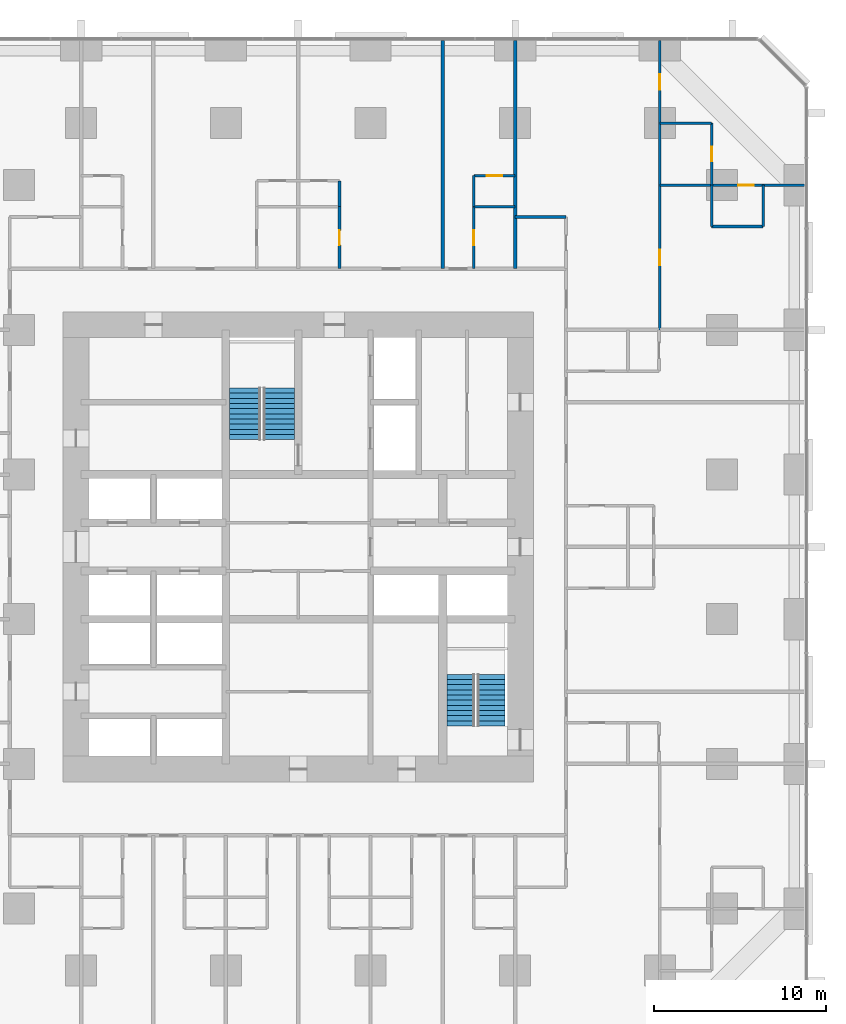
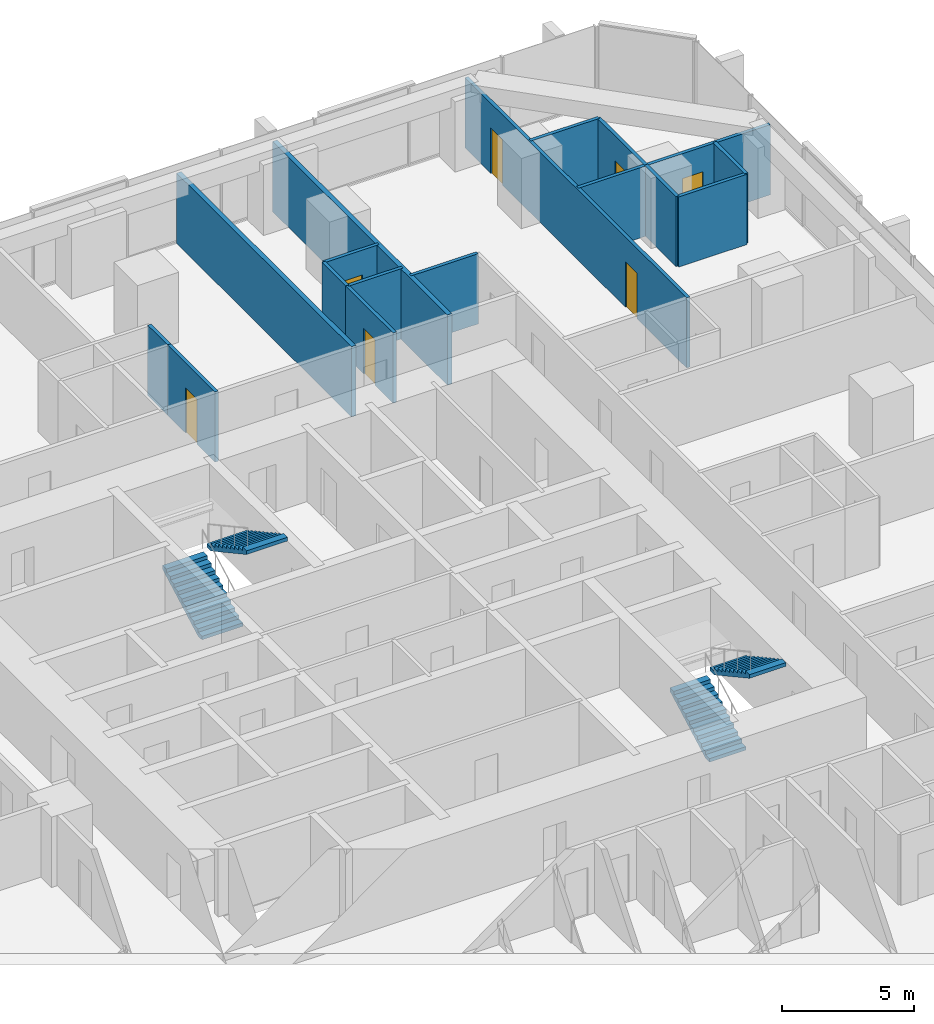
# One storey, part 16 of 17: 16 walls, 7 doors, 4 stair flights, 7 openings, 2 elements without a shape of their own.
"""IFC4 building model written with IfcOpenShell, lengths in metres."""

import ifcopenshell
import ifcopenshell.guid

model = None  # the IFC model being written
_history = None  # IfcOwnerHistory: only IFC2X3 demands one
_inside = {}  # id of a spatial element -> (the spatial element, [elements in it])
_under = {}  # id of a project, library or spatial element -> (it, [spatial elements below it])
_declared = {}  # id of a project -> (the project, [libraries it declares])
_typed = {}  # id of a type object -> (the type object, [elements of that type])
_made_of = {}  # id of a material, layer set ... -> (it, [elements and type objects made of it])


def new_model(schema):
    """Start an empty IFC model of exactly this schema.

    Asked for "IFC4X3", IfcOpenShell would pick the latest addendum, in which some entities
    have other attributes; the version numbers below select the first issue.
    IFC2X3 requires an IfcOwnerHistory on every rooted entity: one is made here for all.
    """
    global model, _history
    if schema == "IFC4X3":
        model = ifcopenshell.file(schema_version=(4, 3, 0, 0))
    else:
        model = ifcopenshell.file(schema=schema)
    _inside.clear()
    _under.clear()
    _declared.clear()
    _typed.clear()
    _made_of.clear()
    _history = None
    if model.schema == "IFC2X3":
        org = make("IfcOrganization", Name="unknown")
        user = make(
            "IfcPersonAndOrganization",
            ThePerson=make("IfcPerson", FamilyName="unknown"),
            TheOrganization=org,
        )
        app = make(
            "IfcApplication",
            ApplicationDeveloper=org,
            Version="unknown",
            ApplicationFullName="unknown",
            ApplicationIdentifier="unknown",
        )
        _history = make(
            "IfcOwnerHistory",
            OwningUser=user,
            OwningApplication=app,
            ChangeAction="ADDED",
            CreationDate=0,
        )
    return model


def make(cls, **values):
    """One entity of the class cls with the attributes given. An attribute that is None is left unset."""
    return model.create_entity(
        cls, **{name: value for name, value in values.items() if value is not None}
    )


def rooted(cls, **values):
    """An entity with a GlobalId (a new one), such as an element, a storey or a relation."""
    return make(cls, GlobalId=ifcopenshell.guid.new(), OwnerHistory=_history, **values)


def si_unit(unit_type, name, prefix=None):
    """IfcSIUnit, for example si_unit("LENGTHUNIT", "METRE", prefix="MILLI")."""
    return make("IfcSIUnit", UnitType=unit_type, Prefix=prefix, Name=name)


def assignment(units):
    """IfcUnitAssignment: the units of a project."""
    return None if units is None else make("IfcUnitAssignment", Units=units)


def point(xyz):
    """IfcCartesianPoint."""
    return None if xyz is None else make("IfcCartesianPoint", Coordinates=xyz)


def direction(xyz):
    """IfcDirection."""
    return None if xyz is None else make("IfcDirection", DirectionRatios=xyz)


def frame(location, z_axis=None, x_axis=None):
    """IfcAxis2Placement3D, a coordinate frame: its origin and axes. An axis left out is left unset."""
    return make(
        "IfcAxis2Placement3D",
        Location=point(location),
        Axis=direction(z_axis),
        RefDirection=direction(x_axis),
    )


def frame_2d(location, x_axis=None):
    """IfcAxis2Placement2D, a coordinate frame in the plane: its origin and x axis."""
    return make(
        "IfcAxis2Placement2D", Location=point(location), RefDirection=direction(x_axis)
    )


def origin():
    """The frame at (0, 0, 0) with its axes left unset."""
    return frame((0.0, 0.0, 0.0))


def place(relative_to, where):
    """IfcLocalPlacement: puts the frame where relative to a parent placement (None: the world)."""
    return make(
        "IfcLocalPlacement", PlacementRelTo=relative_to, RelativePlacement=where
    )


def context(
    kind, dimensions, precision=None, world=None, true_north=None, identifier=None
):
    """IfcGeometricRepresentationContext, for example the 3D "Model" context."""
    return make(
        "IfcGeometricRepresentationContext",
        ContextIdentifier=identifier,
        ContextType=kind,
        CoordinateSpaceDimension=dimensions,
        Precision=precision,
        WorldCoordinateSystem=world,
        TrueNorth=true_north,
    )


def subcontext(parent, identifier, kind, view, scale=None):
    """IfcGeometricRepresentationSubContext, for example "Body" below "Model"."""
    return make(
        "IfcGeometricRepresentationSubContext",
        ContextIdentifier=identifier,
        ContextType=kind,
        ParentContext=parent,
        TargetScale=scale,
        TargetView=view,
    )


def project(units=None, contexts=None):
    """IfcProject with its units and contexts."""
    return rooted(
        "IfcProject",
        Name="project",
        RepresentationContexts=contexts,
        UnitsInContext=assignment(units),
    )


def spatial(cls, under=None, at=None, **own):
    """A site, building, storey or space (cls), placed at a placement, below another one or the project."""
    s = rooted(cls, ObjectPlacement=at, **own)
    if under is not None:
        _under.setdefault(under.id(), (under, []))[1].append(s)
    return s


def polyline(points):
    """IfcPolyline through the points."""
    return make("IfcPolyline", Points=[point(p) for p in points])


def profile(cls, at=None, kind="AREA", **sizes):
    """A parametric profile (cls). Its sizes go by their IFC names, for example OverallWidth=200.0."""
    return make(cls, ProfileType=kind, Position=at, **sizes)


def rectangle(**sizes):
    """IfcRectangleProfileDef."""
    return profile("IfcRectangleProfileDef", **sizes)


def outline(outer, holes=None, kind="AREA"):
    """IfcArbitraryClosedProfileDef: a profile drawn as a closed curve; with holes, ...WithVoids."""
    if holes is None:
        return make("IfcArbitraryClosedProfileDef", ProfileType=kind, OuterCurve=outer)
    return make(
        "IfcArbitraryProfileDefWithVoids",
        ProfileType=kind,
        OuterCurve=outer,
        InnerCurves=holes,
    )


def extrude(swept, where, along, depth):
    """IfcExtrudedAreaSolid: the profile swept, set in the frame where, extruded along a direction by depth."""
    return make(
        "IfcExtrudedAreaSolid",
        SweptArea=swept,
        Position=where,
        ExtrudedDirection=direction(along),
        Depth=depth,
    )


def shape(context_of_items, identifier, shape_type, items):
    """IfcShapeRepresentation: the items that make up one representation, for example the "Body"."""
    return make(
        "IfcShapeRepresentation",
        ContextOfItems=context_of_items,
        RepresentationIdentifier=identifier,
        RepresentationType=shape_type,
        Items=items,
    )


def material(Name=None, Category=None):
    """IfcMaterial."""
    return make("IfcMaterial", Name=Name, Category=Category)


def layer(
    of_material, thickness, ventilated=None, Name=None, Category=None, Priority=None
):
    """IfcMaterialLayer: one layer of a wall or slab, of a material (None: an air gap)."""
    return make(
        "IfcMaterialLayer",
        Material=of_material,
        LayerThickness=thickness,
        IsVentilated=ventilated,
        Name=Name,
        Category=Category,
        Priority=Priority,
    )


def layer_set(layers, Name=None):
    """IfcMaterialLayerSet."""
    return make("IfcMaterialLayerSet", MaterialLayers=layers, LayerSetName=Name)


def made_of(thing, what):
    """Note that an element or type object is made of a material, layer set ...; save() writes the relation."""
    if what is not None:
        _made_of.setdefault(what.id(), (what, []))[1].append(thing)
    return thing


def type_object(cls, material=None, **own):
    """A type object (cls), such as IfcWallType, which elements share."""
    return made_of(rooted(cls, **own), material)


def element(
    cls,
    number,
    at=None,
    inside=None,
    cuts=None,
    type_object=None,
    material=None,
    context=None,
    identifier="Body",
    shape_type=None,
    held_by="IfcProductDefinitionShape",
    body=None,
    shapes=None,
    **own,
):
    """One element of the class cls, such as IfcWall. Its Tag is "e" and its number.

    at: its placement. inside: the storey or other place that contains it. cuts: it is an
    opening in that element (IfcRelVoidsElement). A single representation is given by context,
    identifier, shape_type and body (its items); several are given by shapes. held_by: the class
    of the entity that holds the representations. save() writes the other relations.
    """
    e = rooted(cls, Tag="e%d" % number, ObjectPlacement=at, **own)
    if body is not None:
        shapes = [shape(context, identifier, shape_type, body)]
    if shapes is not None:
        e.Representation = make(held_by, Representations=shapes)
    if inside is not None:
        _inside.setdefault(inside.id(), (inside, []))[1].append(e)
    if cuts is not None:
        rooted(
            "IfcRelVoidsElement", RelatingBuildingElement=cuts, RelatedOpeningElement=e
        )
    if type_object is not None:
        _typed.setdefault(type_object.id(), (type_object, []))[1].append(e)
    return made_of(e, material)


def fill(opening, filler):
    """IfcRelFillsElement: the door or window that sits in an opening."""
    return rooted(
        "IfcRelFillsElement",
        RelatingOpeningElement=opening,
        RelatedBuildingElement=filler,
    )


def aggregate(whole, parts):
    """IfcRelAggregates: a whole, such as a stair, and the parts it consists of."""
    return rooted("IfcRelAggregates", RelatingObject=whole, RelatedObjects=parts)


def save(model, path):
    """Write the relations noted so far, then the file.

    IfcRelAggregates (storeys below a building ...), IfcRelContainedInSpatialStructure (elements
    in a storey), IfcRelDefinesByType, IfcRelAssociatesMaterial and IfcRelDeclares: one each for
    every whole, place, type object, material and project.
    """
    for whole, parts in _under.values():
        aggregate(whole, parts)
    for where, things in _inside.values():
        rooted(
            "IfcRelContainedInSpatialStructure",
            RelatedElements=things,
            RelatingStructure=where,
        )
    for kind, things in _typed.values():
        rooted("IfcRelDefinesByType", RelatedObjects=things, RelatingType=kind)
    for what, things in _made_of.values():
        rooted("IfcRelAssociatesMaterial", RelatedObjects=things, RelatingMaterial=what)
    for by, libraries in _declared.values():
        rooted("IfcRelDeclares", RelatingContext=by, RelatedDefinitions=libraries)
    model.write(path)


model = new_model("IFC4")

# Units and contexts
model_context = context("Model", 3, precision=1e-05, world=origin(), true_north=direction((0.0, 1.0)))
body_context = subcontext(model_context, "Body", "Model", "MODEL_VIEW")
ifc_project = project(units=[si_unit("LENGTHUNIT", "METRE"), si_unit("AREAUNIT", "SQUARE_METRE"), si_unit("VOLUMEUNIT", "CUBIC_METRE"), si_unit("PLANEANGLEUNIT", "RADIAN"), si_unit("MASSUNIT", "GRAM", prefix="KILO")], contexts=[model_context])

# Site, building, storey
site_placement = place(None, origin())
site = spatial("IfcSite", under=ifc_project, at=site_placement, CompositionType="ELEMENT")
building_placement = place(site_placement, origin())
building = spatial("IfcBuilding", under=site, at=building_placement, Name="Dunama Terrace Hotel", CompositionType="ELEMENT")
storey_placement = place(building_placement, frame((0.0, 0.0, 77.39990234375)))
storey = spatial("IfcBuildingStorey", under=building, at=storey_placement, Name="L19", CompositionType="ELEMENT", Elevation=77.39990234375)

# Wall, opening, door
ifc_material_1 = material(Name="Gypsum board partition", Category="masonry")
ifc_layer_1 = layer(ifc_material_1, 0.14990234375)
ifc_layer_set_1 = layer_set([ifc_layer_1], Name="Bathroom partition 150")
wall_type_1 = type_object("IfcWallType", Name="Bathroom partition 150", PredefinedType="PARTITIONING", material=ifc_layer_set_1)
wall_1_placement = place(storey_placement, frame((31.800048828125, 45.550048828125, 0.0), z_axis=(0.0, 0.0, 1.0), x_axis=(0.0, 1.0, 0.0)))
wall_1 = element("IfcWall", 1, at=wall_1_placement, inside=storey, type_object=wall_type_1, Name="Bathroom partition 150 L19", PredefinedType="PARTITIONING", context=body_context, shape_type="SweptSolid", body=[
    extrude(rectangle(XDim=3.599853515625, YDim=0.14990234375, at=frame_2d((1.7998046875, 0.0))), origin(), (0.0, 0.0, 1.0), 3.25),
])
opening_1_placement = place(wall_1_placement, frame((1.375, 0.0, 0.0)))
opening_1 = element("IfcOpeningElement", 2, at=opening_1_placement, cuts=wall_1, Name="Opening L17-19-046", PredefinedType="OPENING", context=body_context, shape_type="SweptSolid", body=[
    extrude(rectangle(XDim=0.85009765625, YDim=2.10009765625, at=frame_2d((0.425048828125, 1.050048828125))), frame((0.0, 0.0849609375, 0.0), z_axis=(0.0, -1.0, 0.0), x_axis=(1.0, 0.0, 0.0)), (0.0, 0.0, 1.0), 0.169921875),
])
ifc_material_2 = material(Name="Timber door with steel frame", Category="steel")
door_type_1 = type_object("IfcDoorType", Name="Bathroom door 850", OperationType="SINGLE_SWING_LEFT", PredefinedType="DOOR", material=ifc_material_2)
door_1_placement = place(opening_1_placement, origin())
door_1 = element("IfcDoor", 3, at=door_1_placement, inside=storey, type_object=door_type_1, Name="Door to en-suite bathroom L17-19-046, type D2", OperationType="SINGLE_SWING_LEFT", OverallHeight=2.10009765625, OverallWidth=0.85009765625, PredefinedType="DOOR", context=body_context, shape_type="SweptSolid", body=[
    extrude(rectangle(XDim=0.85009765625, YDim=2.10009765625, at=frame_2d((0.425048828125, 1.050048828125))), frame((0.0, 0.02490234375, 0.0), z_axis=(0.0, -1.0, 0.0), x_axis=(1.0, 0.0, 0.0)), (0.0, 0.0, 1.0), 0.050048828125),
])
fill(opening_1, door_1)

wall_2_placement = place(storey_placement, frame((39.60009765625, 45.550048828125, 0.0), z_axis=(0.0, 0.0, 1.0), x_axis=(0.0, 1.0, 0.0)))
wall_2 = element("IfcWall", 4, at=wall_2_placement, inside=storey, type_object=wall_type_1, Name="Bathroom partition 150 L19", PredefinedType="PARTITIONING", context=body_context, shape_type="SweptSolid", body=[
    extrude(rectangle(XDim=3.599853515625, YDim=0.14990234375, at=frame_2d((1.7998046875, 0.0))), origin(), (0.0, 0.0, 1.0), 3.25),
])
opening_2_placement = place(wall_2_placement, frame((1.375, 0.0, 0.0)))
opening_2 = element("IfcOpeningElement", 5, at=opening_2_placement, cuts=wall_2, Name="Opening L17-19-049", PredefinedType="OPENING", context=body_context, shape_type="SweptSolid", body=[
    extrude(rectangle(XDim=0.85009765625, YDim=2.10009765625, at=frame_2d((0.425048828125, 1.050048828125))), frame((0.0, 0.0849609375, 0.0), z_axis=(0.0, -1.0, 0.0), x_axis=(1.0, 0.0, 0.0)), (0.0, 0.0, 1.0), 0.169921875),
])
door_2_placement = place(opening_2_placement, frame((0.85009765625, 0.0, 0.0), z_axis=(0.0, 0.0, 1.0), x_axis=(-1.0, 0.0, 0.0)))
door_2 = element("IfcDoor", 6, at=door_2_placement, inside=storey, type_object=door_type_1, Name="Door to en-suite bathroom L17-19-049, type D2", OperationType="SINGLE_SWING_RIGHT", OverallHeight=2.10009765625, OverallWidth=0.85009765625, PredefinedType="DOOR", context=body_context, shape_type="SweptSolid", body=[
    extrude(rectangle(XDim=0.85009765625, YDim=2.10009765625, at=frame_2d((0.425048828125, 1.050048828125))), frame((0.0, 0.025146484375, 0.0), z_axis=(0.0, -1.0, 0.0), x_axis=(1.0, 0.0, 0.0)), (0.0, 0.0, 1.0), 0.050048828125),
])
fill(opening_2, door_2)

wall_3_placement = place(storey_placement, frame((53.39990234375, 50.39990234375, 0.0), z_axis=(0.0, 0.0, 1.0), x_axis=(0.0, 1.0, 0.0)))
wall_3 = element("IfcWall", 7, at=wall_3_placement, inside=storey, type_object=wall_type_1, Name="Bathroom partition 150 L19", PredefinedType="PARTITIONING", context=body_context, shape_type="SweptSolid", body=[
    extrude(rectangle(XDim=3.60009765625, YDim=0.14990234375, at=frame_2d((1.800048828125, 0.0))), origin(), (0.0, 0.0, 1.0), 3.25),
])
opening_3_placement = place(wall_3_placement, frame((1.375, 0.0, 0.0)))
opening_3 = element("IfcOpeningElement", 8, at=opening_3_placement, cuts=wall_3, Name="Opening L17-19-075", PredefinedType="OPENING", context=body_context, shape_type="SweptSolid", body=[
    extrude(rectangle(XDim=0.85009765625, YDim=2.10009765625, at=frame_2d((0.425048828125, 1.050048828125))), frame((0.0, 0.0849609375, 0.0), z_axis=(0.0, -1.0, 0.0), x_axis=(1.0, 0.0, 0.0)), (0.0, 0.0, 1.0), 0.169921875),
])
door_3_placement = place(opening_3_placement, origin())
door_3 = element("IfcDoor", 9, at=door_3_placement, inside=storey, type_object=door_type_1, Name="Door to en-suite bathroom L17-19-075, type D2", OperationType="SINGLE_SWING_LEFT", OverallHeight=2.10009765625, OverallWidth=0.85009765625, PredefinedType="DOOR", context=body_context, shape_type="SweptSolid", body=[
    extrude(rectangle(XDim=0.85009765625, YDim=2.10009765625, at=frame_2d((0.425048828125, 1.050048828125))), frame((0.0, 0.02490234375, 0.0), z_axis=(0.0, -1.0, 0.0), x_axis=(1.0, 0.0, 0.0)), (0.0, 0.0, 1.0), 0.050048828125),
])
fill(opening_3, door_3)

# Walls
wall_4_placement = place(storey_placement, frame((42.0, 48.550048828125, 0.0), z_axis=(0.0, 0.0, 1.0), x_axis=(1.0, 0.0, 0.0)))
element("IfcWall", 10, at=wall_4_placement, inside=storey, type_object=wall_type_1, Name="Bathroom partition 150 L19", PredefinedType="PARTITIONING", context=body_context, shape_type="SweptSolid", body=[
    extrude(rectangle(XDim=2.949951171875, YDim=0.14990234375, at=frame_2d((1.47509765625, 0.0))), origin(), (0.0, 0.0, 1.0), 3.25),
])
wall_5_placement = place(storey_placement, frame((50.39990234375, 54.0, 0.0), z_axis=(0.0, 0.0, 1.0), x_axis=(1.0, 0.0, 0.0)))
element("IfcWall", 11, at=wall_5_placement, inside=storey, type_object=wall_type_1, Name="Bathroom partition 150 L19", PredefinedType="PARTITIONING", context=body_context, shape_type="SweptSolid", body=[
    extrude(rectangle(XDim=3.0, YDim=0.14990234375, at=frame_2d((1.5, 0.0))), origin(), (0.0, 0.0, 1.0), 3.25),
])
ifc_material_3 = material(Name="Concrete blockwork", Category="masonry")
ifc_layer_2 = layer(ifc_material_3, 0.199951171875)
ifc_layer_set_2 = layer_set([ifc_layer_2], Name="Party wall 200")
wall_type_2 = type_object("IfcWallType", Name="Party wall 200", PredefinedType="PARTITIONING", material=ifc_layer_set_2)
for number, where, z_axis, x_axis, name in (
    (12, (37.800048828125, 45.550048828125, 0.0), (0.0, 0.0, 1.0), (0.0, 1.0, 0.0), "Party wall 200 L19"),
    (13, (42.0, 45.550048828125, 0.0), (0.0, 0.0, 1.0), (0.0, 1.0, 0.0), "Party wall 200 L19"),
):
    element("IfcWall", number, at=place(storey_placement, frame(where, z_axis=z_axis, x_axis=x_axis)), inside=storey, type_object=wall_type_2, Name=name, PredefinedType="PARTITIONING", context=body_context, shape_type="SweptSolid", body=[
        extrude(rectangle(XDim=13.258056640625, YDim=0.199951171875, at=frame_2d((6.62890625, 0.0))), origin(), (0.0, 0.0, 1.0), 3.25),
    ])
ifc_material_4 = material(Name="Gypsum board partition", Category="masonry")
ifc_layer_3 = layer(ifc_material_4, 0.14990234375)
ifc_layer_set_3 = layer_set([ifc_layer_3], Name="Room partition 150")
wall_type_3 = type_object("IfcWallType", Name="Room partition 150", PredefinedType="PARTITIONING", material=ifc_layer_set_3)
wall_6_placement = place(storey_placement, frame((31.800048828125, 49.14990234375, 0.0), z_axis=(0.0, 0.0, 1.0), x_axis=(0.0, 1.0, 0.0)))
element("IfcWall", 14, at=wall_6_placement, inside=storey, type_object=wall_type_3, Name="Room partition 150 L19", PredefinedType="PARTITIONING", context=body_context, shape_type="SweptSolid", body=[
    extrude(rectangle(XDim=1.5, YDim=0.14990234375, at=frame_2d((0.75, 0.0))), origin(), (0.0, 0.0, 1.0), 3.25),
])
wall_7_placement = place(storey_placement, frame((39.60009765625, 49.14990234375, 0.0), z_axis=(0.0, 0.0, 1.0), x_axis=(0.0, 1.0, 0.0)))
element("IfcWall", 15, at=wall_7_placement, inside=storey, type_object=wall_type_3, Name="Room partition 150 L19", PredefinedType="PARTITIONING", context=body_context, shape_type="SweptSolid", body=[
    extrude(rectangle(XDim=1.800048828125, YDim=0.14990234375, at=frame_2d((0.89990234375, 0.0))), origin(), (0.0, 0.0, 1.0), 3.25),
])

# Wall, openings, doors
wall_8_placement = place(storey_placement, frame((50.39990234375, 42.0, 0.0), z_axis=(0.0, 0.0, 1.0), x_axis=(0.0, 1.0, 0.0)))
wall_8 = element("IfcWall", 16, at=wall_8_placement, inside=storey, type_object=wall_type_3, Name="Room partition 150 L19", PredefinedType="PARTITIONING", context=body_context, shape_type="SweptSolid", body=[
    extrude(rectangle(XDim=16.80810546875, YDim=0.14990234375, at=frame_2d((8.404052734375, 0.0))), origin(), (0.0, 0.0, 1.0), 3.25),
])
opening_4_placement = place(wall_8_placement, frame((13.949951171875, 0.0, 0.0)))
opening_4 = element("IfcOpeningElement", 17, at=opening_4_placement, cuts=wall_8, Name="Opening L17-19-074", PredefinedType="OPENING", context=body_context, shape_type="SweptSolid", body=[
    extrude(rectangle(XDim=0.89990234375, YDim=2.10009765625, at=frame_2d((0.449951171875, 1.050048828125))), frame((0.0, 0.0849609375, 0.0), z_axis=(0.0, -1.0, 0.0), x_axis=(1.0, 0.0, 0.0)), (0.0, 0.0, 1.0), 0.169921875),
])
opening_5_placement = place(wall_8_placement, frame((3.75, 0.0, 0.0)))
opening_5 = element("IfcOpeningElement", 18, at=opening_5_placement, cuts=wall_8, Name="Opening L17-19-077", PredefinedType="OPENING", context=body_context, shape_type="SweptSolid", body=[
    extrude(rectangle(XDim=0.89990234375, YDim=2.10009765625, at=frame_2d((0.449951171875, 1.050048828125))), frame((0.0, 0.0849609375, 0.0), z_axis=(0.0, -1.0, 0.0), x_axis=(1.0, 0.0, 0.0)), (0.0, 0.0, 1.0), 0.169921875),
])
ifc_material_5 = material(Name="Timber door with steel frame", Category="steel")
door_type_2 = type_object("IfcDoorType", Name="Suite internal door 900", OperationType="SINGLE_SWING_LEFT", PredefinedType="DOOR", material=ifc_material_5)
door_4_placement = place(opening_4_placement, frame((0.89990234375, 0.0, 0.0), z_axis=(0.0, 0.0, 1.0), x_axis=(-1.0, 0.0, 0.0)))
door_4 = element("IfcDoor", 19, at=door_4_placement, inside=storey, type_object=door_type_2, Name="Door to corner suite bedroom L17-19-074, type D16", OperationType="SINGLE_SWING_LEFT", OverallHeight=2.10009765625, OverallWidth=0.89990234375, PredefinedType="DOOR", context=body_context, shape_type="SweptSolid", body=[
    extrude(rectangle(XDim=0.89990234375, YDim=2.10009765625, at=frame_2d((0.449951171875, 1.050048828125))), frame((0.0, 0.025146484375, 0.0), z_axis=(0.0, -1.0, 0.0), x_axis=(1.0, 0.0, 0.0)), (0.0, 0.0, 1.0), 0.050048828125),
])
fill(opening_4, door_4)
door_5_placement = place(opening_5_placement, frame((0.89990234375, 0.0, 0.0), z_axis=(0.0, 0.0, 1.0), x_axis=(-1.0, 0.0, 0.0)))
door_5 = element("IfcDoor", 20, at=door_5_placement, inside=storey, type_object=door_type_2, Name="Door to corner suite study L17-19-077, type D16", OperationType="SINGLE_SWING_LEFT", OverallHeight=2.10009765625, OverallWidth=0.89990234375, PredefinedType="DOOR", context=body_context, shape_type="SweptSolid", body=[
    extrude(rectangle(XDim=0.89990234375, YDim=2.10009765625, at=frame_2d((0.449951171875, 1.050048828125))), frame((0.0, 0.025146484375, 0.0), z_axis=(0.0, -1.0, 0.0), x_axis=(1.0, 0.0, 0.0)), (0.0, 0.0, 1.0), 0.050048828125),
])
fill(opening_5, door_5)

# Walls
for number, where, z_axis, x_axis, name in (
    (21, (53.39990234375, 48.0, 0.0), (0.0, 0.0, 1.0), (0.0, 1.0, 0.0), "Room partition 150 L19"),
    (22, (56.39990234375, 48.0, 0.0), (0.0, 0.0, 1.0), (0.0, 1.0, 0.0), "Room partition 150 L19"),
):
    element("IfcWall", number, at=place(storey_placement, frame(where, z_axis=z_axis, x_axis=x_axis)), inside=storey, type_object=wall_type_3, Name=name, PredefinedType="PARTITIONING", context=body_context, shape_type="SweptSolid", body=[
        extrude(rectangle(XDim=2.39990234375, YDim=0.14990234375, at=frame_2d((1.199951171875, 0.0))), origin(), (0.0, 0.0, 1.0), 3.25),
    ])
wall_9_placement = place(storey_placement, frame((53.39990234375, 48.0, 0.0), z_axis=(0.0, 0.0, 1.0), x_axis=(1.0, 0.0, 0.0)))
element("IfcWall", 23, at=wall_9_placement, inside=storey, type_object=wall_type_3, Name="Room partition 150 L19", PredefinedType="PARTITIONING", context=body_context, shape_type="SweptSolid", body=[
    extrude(rectangle(XDim=3.0, YDim=0.14990234375, at=frame_2d((1.5, 0.0))), origin(), (0.0, 0.0, 1.0), 3.25),
])
wall_10_placement = place(storey_placement, frame((39.60009765625, 49.14990234375, 0.0), z_axis=(0.0, 0.0, 1.0), x_axis=(1.0, 0.0, 0.0)))
element("IfcWall", 24, at=wall_10_placement, inside=storey, type_object=wall_type_3, Name="Room partition 150 L19", PredefinedType="PARTITIONING", context=body_context, shape_type="SweptSolid", body=[
    extrude(rectangle(XDim=2.39990234375, YDim=0.14990234375, at=frame_2d((1.199951171875, 0.0))), origin(), (0.0, 0.0, 1.0), 3.25),
])

# Wall, opening, door
wall_11_placement = place(storey_placement, frame((50.39990234375, 50.39990234375, 0.0), z_axis=(0.0, 0.0, 1.0), x_axis=(1.0, 0.0, 0.0)))
wall_11 = element("IfcWall", 25, at=wall_11_placement, inside=storey, type_object=wall_type_3, Name="Room partition 150 L19", PredefinedType="PARTITIONING", context=body_context, shape_type="SweptSolid", body=[
    extrude(rectangle(XDim=8.408203125, YDim=0.14990234375, at=frame_2d((4.2041015625, 0.0))), origin(), (0.0, 0.0, 1.0), 3.25),
])
opening_6_placement = place(wall_11_placement, frame((4.550048828125, 0.0, 0.0)))
opening_6 = element("IfcOpeningElement", 26, at=opening_6_placement, cuts=wall_11, Name="Opening L17-19-076", PredefinedType="OPENING", context=body_context, shape_type="SweptSolid", body=[
    extrude(rectangle(XDim=0.89990234375, YDim=2.10009765625, at=frame_2d((0.449951171875, 1.050048828125))), frame((0.0, 0.0849609375, 0.0), z_axis=(0.0, -1.0, 0.0), x_axis=(1.0, 0.0, 0.0)), (0.0, 0.0, 1.0), 0.169921875),
])
door_6_placement = place(opening_6_placement, frame((0.89990234375, 0.0, 0.0), z_axis=(0.0, 0.0, 1.0), x_axis=(-1.0, 0.0, 0.0)))
door_6 = element("IfcDoor", 27, at=door_6_placement, inside=storey, type_object=door_type_2, Name="Door to dressing room L17-19-076, type D16", OperationType="SINGLE_SWING_RIGHT", OverallHeight=2.10009765625, OverallWidth=0.89990234375, PredefinedType="DOOR", context=body_context, shape_type="SweptSolid", body=[
    extrude(rectangle(XDim=0.89990234375, YDim=2.10009765625, at=frame_2d((0.449951171875, 1.050048828125))), frame((0.0, 0.025146484375, 0.0), z_axis=(0.0, -1.0, 0.0), x_axis=(1.0, 0.0, 0.0)), (0.0, 0.0, 1.0), 0.050048828125),
])
fill(opening_6, door_6)

wall_12_placement = place(storey_placement, frame((39.60009765625, 50.949951171875, 0.0), z_axis=(0.0, 0.0, 1.0), x_axis=(1.0, 0.0, 0.0)))
wall_12 = element("IfcWall", 28, at=wall_12_placement, inside=storey, type_object=wall_type_3, Name="Room partition 150 L19", PredefinedType="PARTITIONING", context=body_context, shape_type="SweptSolid", body=[
    extrude(rectangle(XDim=2.39990234375, YDim=0.14990234375, at=frame_2d((1.199951171875, 0.0))), origin(), (0.0, 0.0, 1.0), 3.25),
])
opening_7_placement = place(wall_12_placement, frame((0.75, 0.0, 0.0)))
opening_7 = element("IfcOpeningElement", 29, at=opening_7_placement, cuts=wall_12, Name="Opening L17-19-050", PredefinedType="OPENING", context=body_context, shape_type="SweptSolid", body=[
    extrude(rectangle(XDim=0.89990234375, YDim=2.10009765625, at=frame_2d((0.449951171875, 1.050048828125))), frame((0.0, 0.0849609375, 0.0), z_axis=(0.0, -1.0, 0.0), x_axis=(1.0, 0.0, 0.0)), (0.0, 0.0, 1.0), 0.169921875),
])
door_7_placement = place(opening_7_placement, frame((0.89990234375, 0.0, 0.0), z_axis=(0.0, 0.0, 1.0), x_axis=(-1.0, 0.0, 0.0)))
door_7 = element("IfcDoor", 30, at=door_7_placement, inside=storey, type_object=door_type_2, Name="Door to walk-in wardrobe L17-19-050, type D16", OperationType="SINGLE_SWING_LEFT", OverallHeight=2.10009765625, OverallWidth=0.89990234375, PredefinedType="DOOR", context=body_context, shape_type="SweptSolid", body=[
    extrude(rectangle(XDim=0.89990234375, YDim=2.10009765625, at=frame_2d((0.449951171875, 1.050048828125))), frame((0.0, 0.025146484375, 0.0), z_axis=(0.0, -1.0, 0.0), x_axis=(1.0, 0.0, 0.0)), (0.0, 0.0, 1.0), 0.050048828125),
])
fill(opening_7, door_7)

# Stair, stair flights
ifc_material_6 = material(Name="Concrete C40/50", Category="concrete")
stair_type_1 = type_object("IfcStairType", Name="Stair ST1-3600-1800", PredefinedType="HALF_TURN_STAIR", material=ifc_material_6)
stair_1_placement = place(storey_placement, origin())
stair_1 = element("IfcStair", 31, at=stair_1_placement, inside=storey, type_object=stair_type_1, Name="Stair ST1 L19", PredefinedType="HALF_TURN_STAIR")
ifc_material_7 = material(Name="Concrete C40/50", Category="concrete")
stair_flight_type_1 = type_object("IfcStairFlightType", Name="Stair flight ST1-3600-1800", PredefinedType="STRAIGHT", material=ifc_material_7)
stair_flight_1_placement = place(storey_placement, frame((26.324951171875, 35.625, 0.0), z_axis=(0.0, 0.0, 1.0), x_axis=(0.0, 1.0, 0.0)))
stair_flight_1 = element("IfcStairFlight", 32, at=stair_flight_1_placement, type_object=stair_flight_type_1, Name="ST1 flight 1", NumberOfRisers=11, NumberOfTreads=10, PredefinedType="STRAIGHT", RiserHeight=0.163636364, TreadLength=0.3, context=body_context, shape_type="SweptSolid", body=[
    extrude(outline(polyline([(0.0, 0.0), (0.0, 0.16357421875), (0.300048828125, 0.16357421875), (0.300048828125, 0.327392578125), (0.60009765625, 0.327392578125), (0.60009765625, 0.490966796875), (0.89990234375, 0.490966796875), (0.89990234375, 0.654541015625), (1.199951171875, 0.654541015625), (1.199951171875, 0.818115234375), (1.5, 0.818115234375), (1.5, 0.98193359375), (1.800048828125, 0.98193359375), (1.800048828125, 1.1455078125), (2.10009765625, 1.1455078125), (2.10009765625, 1.30908203125), (2.39990234375, 1.30908203125), (2.39990234375, 1.47265625), (2.699951171875, 1.47265625), (2.699951171875, 1.636474609375), (3.0, 1.636474609375), (3.0, 1.800048828125), (3.0, 1.465576171875), (0.31298828125, 0.0), (0.0, 0.0)])), frame((0.0, 0.89990234375, 0.0), z_axis=(0.0, -1.0, 0.0), x_axis=(1.0, 0.0, 0.0)), (0.0, 0.0, 1.0), 1.800048828125),
])
stair_flight_2_placement = place(storey_placement, frame((28.27490234375, 38.625, 1.800048828125), z_axis=(0.0, 0.0, 1.0), x_axis=(0.0, -1.0, 0.0)))
stair_flight_2 = element("IfcStairFlight", 33, at=stair_flight_2_placement, type_object=stair_flight_type_1, Name="ST1 flight 2", NumberOfRisers=11, NumberOfTreads=10, PredefinedType="STRAIGHT", RiserHeight=0.163636364, TreadLength=0.3, context=body_context, shape_type="SweptSolid", body=[
    extrude(outline(polyline([(0.0, 0.0), (0.0, 0.16357421875), (0.300048828125, 0.16357421875), (0.300048828125, 0.327392578125), (0.60009765625, 0.327392578125), (0.60009765625, 0.490966796875), (0.89990234375, 0.490966796875), (0.89990234375, 0.654541015625), (1.199951171875, 0.654541015625), (1.199951171875, 0.818115234375), (1.5, 0.818115234375), (1.5, 0.98193359375), (1.800048828125, 0.98193359375), (1.800048828125, 1.1455078125), (2.10009765625, 1.1455078125), (2.10009765625, 1.30908203125), (2.39990234375, 1.30908203125), (2.39990234375, 1.47265625), (2.699951171875, 1.47265625), (2.699951171875, 1.636474609375), (3.0, 1.636474609375), (3.0, 1.800048828125), (3.0, 1.465576171875), (0.31298828125, 0.0), (0.0, 0.0)])), frame((0.0, 0.89990234375, 0.0), z_axis=(0.0, -1.0, 0.0), x_axis=(1.0, 0.0, 0.0)), (0.0, 0.0, 1.0), 1.800048828125),
])
aggregate(stair_1, [stair_flight_1, stair_flight_2])

ifc_material_8 = material(Name="Concrete C40/50", Category="concrete")
stair_type_2 = type_object("IfcStairType", Name="Stair ST2-3600-1600", PredefinedType="HALF_TURN_STAIR", material=ifc_material_8)
stair_2_placement = place(storey_placement, origin())
stair_2 = element("IfcStair", 34, at=stair_2_placement, inside=storey, type_object=stair_type_2, Name="Stair ST2 L19", PredefinedType="HALF_TURN_STAIR")
ifc_material_9 = material(Name="Concrete C40/50", Category="concrete")
stair_flight_type_2 = type_object("IfcStairFlightType", Name="Stair flight ST2-3600-1600", PredefinedType="STRAIGHT", material=ifc_material_9)
stair_flight_3_placement = place(storey_placement, frame((38.85009765625, 19.0, 0.0), z_axis=(0.0, 0.0, 1.0), x_axis=(0.0, 1.0, 0.0)))
stair_flight_3 = element("IfcStairFlight", 35, at=stair_flight_3_placement, type_object=stair_flight_type_2, Name="ST2 flight 1", NumberOfRisers=11, NumberOfTreads=10, PredefinedType="STRAIGHT", RiserHeight=0.163636364, TreadLength=0.3, context=body_context, shape_type="SweptSolid", body=[
    extrude(outline(polyline([(0.0, 0.0), (0.0, 0.16357421875), (0.300048828125, 0.16357421875), (0.300048828125, 0.327392578125), (0.60009765625, 0.327392578125), (0.60009765625, 0.490966796875), (0.89990234375, 0.490966796875), (0.89990234375, 0.654541015625), (1.199951171875, 0.654541015625), (1.199951171875, 0.818115234375), (1.5, 0.818115234375), (1.5, 0.98193359375), (1.800048828125, 0.98193359375), (1.800048828125, 1.1455078125), (2.10009765625, 1.1455078125), (2.10009765625, 1.30908203125), (2.39990234375, 1.30908203125), (2.39990234375, 1.47265625), (2.699951171875, 1.47265625), (2.699951171875, 1.636474609375), (3.0, 1.636474609375), (3.0, 1.800048828125), (3.0, 1.465576171875), (0.31298828125, 0.0), (0.0, 0.0)])), frame((0.0, 0.800048828125, 0.0), z_axis=(0.0, -1.0, 0.0), x_axis=(1.0, 0.0, 0.0)), (0.0, 0.0, 1.0), 1.60009765625),
])
stair_flight_4_placement = place(storey_placement, frame((40.60009765625, 22.0, 1.800048828125), z_axis=(0.0, 0.0, 1.0), x_axis=(0.0, -1.0, 0.0)))
stair_flight_4 = element("IfcStairFlight", 36, at=stair_flight_4_placement, type_object=stair_flight_type_2, Name="ST2 flight 2", NumberOfRisers=11, NumberOfTreads=10, PredefinedType="STRAIGHT", RiserHeight=0.163636364, TreadLength=0.3, context=body_context, shape_type="SweptSolid", body=[
    extrude(outline(polyline([(0.0, 0.0), (0.0, 0.16357421875), (0.300048828125, 0.16357421875), (0.300048828125, 0.327392578125), (0.60009765625, 0.327392578125), (0.60009765625, 0.490966796875), (0.89990234375, 0.490966796875), (0.89990234375, 0.654541015625), (1.199951171875, 0.654541015625), (1.199951171875, 0.818115234375), (1.5, 0.818115234375), (1.5, 0.98193359375), (1.800048828125, 0.98193359375), (1.800048828125, 1.1455078125), (2.10009765625, 1.1455078125), (2.10009765625, 1.30908203125), (2.39990234375, 1.30908203125), (2.39990234375, 1.47265625), (2.699951171875, 1.47265625), (2.699951171875, 1.636474609375), (3.0, 1.636474609375), (3.0, 1.800048828125), (3.0, 1.465576171875), (0.31298828125, 0.0), (0.0, 0.0)])), frame((0.0, 0.800048828125, 0.0), z_axis=(0.0, -1.0, 0.0), x_axis=(1.0, 0.0, 0.0)), (0.0, 0.0, 1.0), 1.60009765625),
])
aggregate(stair_2, [stair_flight_3, stair_flight_4])

save(model, "model.ifc")
